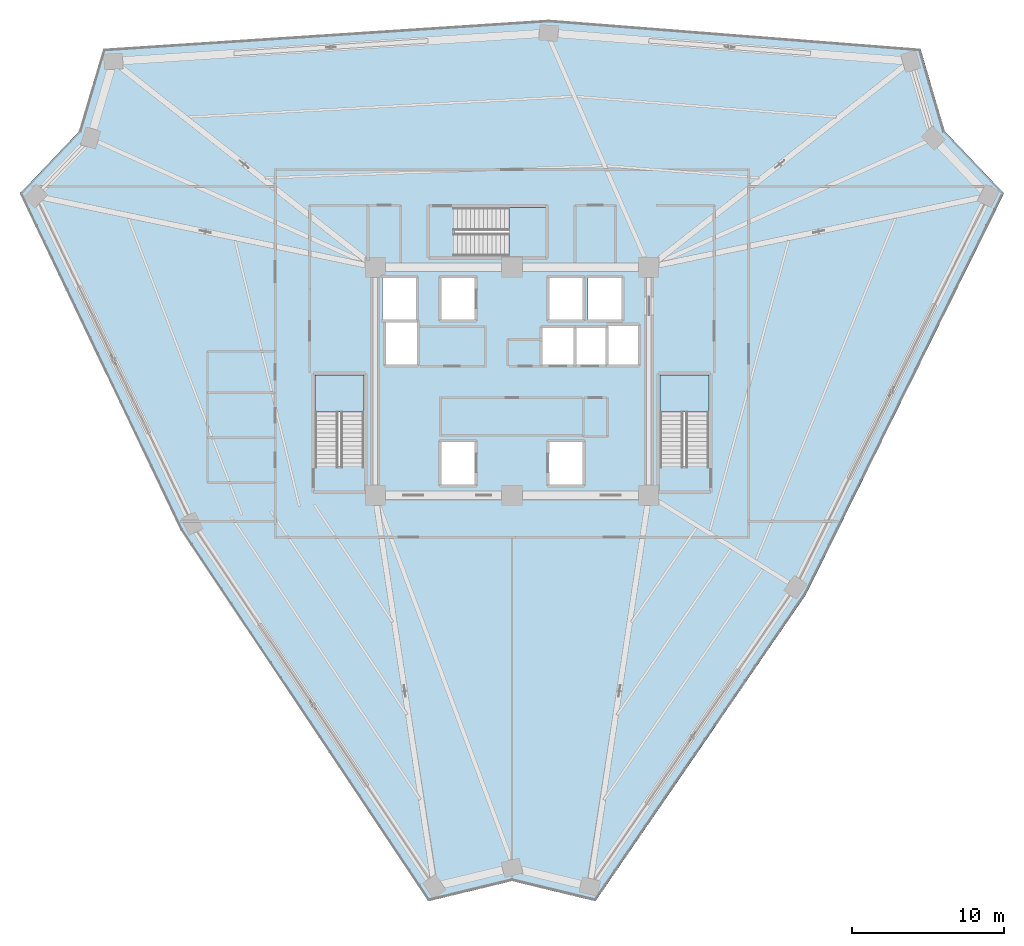
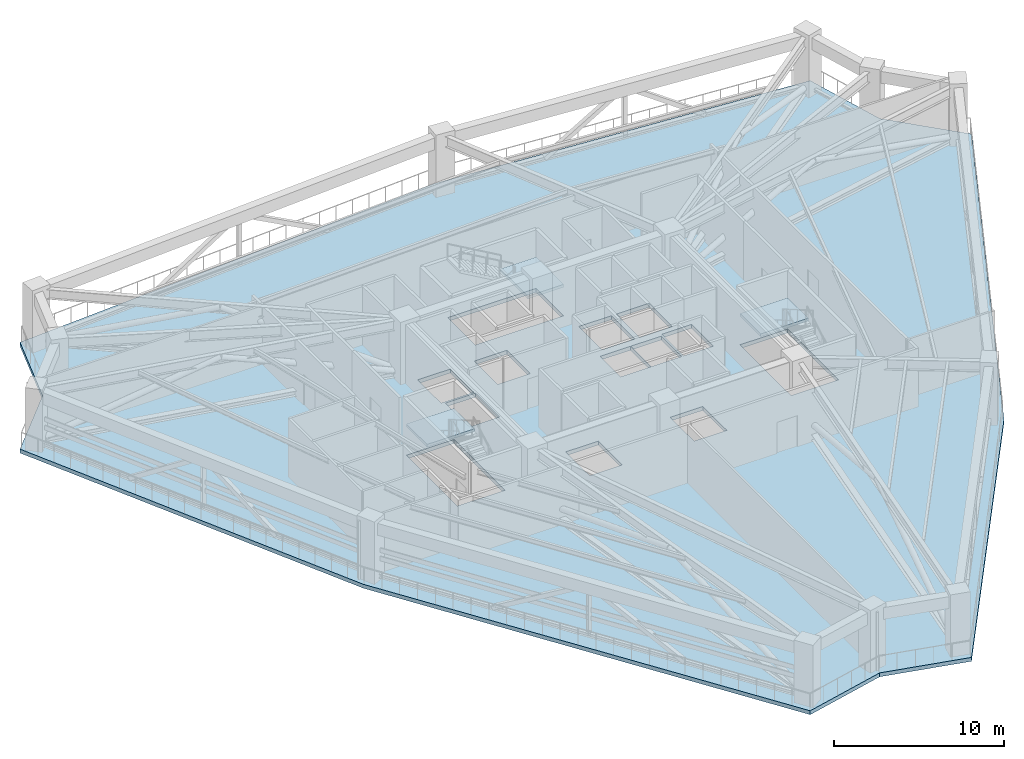
# One storey, part 11 of 22: 4 slabs, 3 elements without a shape of their own.
"""IFC4 building model written with IfcOpenShell, lengths in metres."""

from ifc_helpers import new_model, si_unit, direction, frame, origin, place, context, subcontext, project, spatial, polyline, outline, extrude, material, layer, layer_set, type_object, element, aggregate, save


model = new_model("IFC4")

# Units and contexts
model_context = context("Model", 3, precision=1e-05, world=origin(), true_north=direction((0.0, 1.0)))
body_context = subcontext(model_context, "Body", "Model", "MODEL_VIEW")
ifc_project = project(units=[si_unit("LENGTHUNIT", "METRE"), si_unit("AREAUNIT", "SQUARE_METRE"), si_unit("VOLUMEUNIT", "CUBIC_METRE"), si_unit("PLANEANGLEUNIT", "RADIAN"), si_unit("MASSUNIT", "GRAM", prefix="KILO")], contexts=[model_context])

# Site, building, storey
site_placement = place(None, origin())
site = spatial("IfcSite", under=ifc_project, at=site_placement, CompositionType="ELEMENT")
building_placement = place(site_placement, origin())
building = spatial("IfcBuilding", under=site, at=building_placement, Name="Liaohun Quay Tower", CompositionType="ELEMENT")
storey_placement = place(building_placement, frame((0.0, 0.0, 277.5)))
storey = spatial("IfcBuildingStorey", under=building, at=storey_placement, Name="L72", CompositionType="ELEMENT", Elevation=277.5)

# Stair, slab
ifc_material_1 = material(Name="Concrete C45", Category="concrete")
stair_type = type_object("IfcStairType", Name="STR-CORE-TALL", PredefinedType="HALF_TURN_STAIR", material=ifc_material_1)
stair_1_placement = place(storey_placement, origin())
stair_1 = element("IfcStair", 1, at=stair_1_placement, inside=storey, type_object=stair_type, Name="L72 Smokeproof Core Exit Stair ST-1", PredefinedType="HALF_TURN_STAIR")
ifc_layer_1 = layer(ifc_material_1, 0.199951171875, Name="Concrete C45", Category="concrete")
ifc_layer_set_1 = layer_set([ifc_layer_1], Name="Concrete C45")
slab_type_1 = type_object("IfcSlabType", Name="SLB-LND-200", PredefinedType="LANDING", material=ifc_layer_set_1)
slab_1_placement = place(storey_placement, frame((0.0, 0.0, 2.050048828125)))
slab_1 = element("IfcSlab", 2, at=slab_1_placement, type_object=slab_type_1, Name="ST-1 landing 1", PredefinedType="LANDING", context=body_context, shape_type="SweptSolid", body=[
    extrude(outline(polyline([(50.280029296875, 51.989990234375), (50.280029296875, 54.419921875), (47.0400390625, 54.419921875), (47.0400390625, 51.989990234375), (50.280029296875, 51.989990234375)])), origin(), (0.0, 0.0, 1.0), 0.199951171875),
])
aggregate(stair_1, [slab_1])

stair_2_placement = place(storey_placement, origin())
stair_2 = element("IfcStair", 3, at=stair_2_placement, inside=storey, type_object=stair_type, Name="L72 Smokeproof Core Exit Stair ST-2", PredefinedType="HALF_TURN_STAIR")
slab_2_placement = place(storey_placement, frame((0.0, 0.0, 2.050048828125)))
slab_2 = element("IfcSlab", 4, at=slab_2_placement, type_object=slab_type_1, Name="ST-2 landing 1", PredefinedType="LANDING", context=body_context, shape_type="SweptSolid", body=[
    extrude(outline(polyline([(72.9599609375, 51.989990234375), (72.9599609375, 54.419921875), (69.719970703125, 54.419921875), (69.719970703125, 51.989990234375), (72.9599609375, 51.989990234375)])), origin(), (0.0, 0.0, 1.0), 0.199951171875),
])
aggregate(stair_2, [slab_2])

stair_3_placement = place(storey_placement, origin())
stair_3 = element("IfcStair", 5, at=stair_3_placement, inside=storey, type_object=stair_type, Name="L72 Smokeproof Core Exit Stair ST-3", PredefinedType="HALF_TURN_STAIR")
slab_3_placement = place(storey_placement, frame((0.0, 0.0, 2.050048828125)))
slab_3 = element("IfcSlab", 6, at=slab_3_placement, type_object=slab_type_1, Name="ST-3 landing 1", PredefinedType="LANDING", context=body_context, shape_type="SweptSolid", body=[
    extrude(outline(polyline([(59.7900390625, 62.199951171875), (62.219970703125, 62.199951171875), (62.219970703125, 65.43994140625), (59.7900390625, 65.43994140625), (59.7900390625, 62.199951171875)])), origin(), (0.0, 0.0, 1.0), 0.199951171875),
])
aggregate(stair_3, [slab_3])

# Slab
ifc_material_2 = material(Name="Concrete C50", Category="concrete")
ifc_layer_2 = layer(ifc_material_2, 0.280029296875, Name="Concrete C50", Category="concrete")
ifc_layer_set_2 = layer_set([ifc_layer_2], Name="Concrete C50")
slab_type_2 = type_object("IfcSlabType", Name="SLB-REF-280", PredefinedType="FLOOR", material=ifc_layer_set_2)
slab_4_placement = place(storey_placement, frame((0.0, 0.0, -0.280029296875)))
element("IfcSlab", 7, at=slab_4_placement, inside=storey, type_object=slab_type_2, Name="L72 Structural Floor Slab", PredefinedType="FLOOR", context=body_context, shape_type="SweptSolid", body=[
    extrude(outline(polyline([(54.514892578125, 19.818115234375), (60.0, 21.14306640625), (65.485107421875, 19.818115234375), (79.360107421875, 40.031005859375), (92.344970703125, 66.341064453125), (88.455078125, 70.428955078125), (86.860107421875, 75.842041015625), (62.4169921875, 77.7509765625), (33.139892578125, 75.842041015625), (31.544921875, 70.428955078125), (27.655029296875, 66.341064453125), (38.222900390625, 44.218017578125), (54.514892578125, 19.818115234375)]), holes=[polyline([(57.56005859375, 50.030029296875), (55.340087890625, 50.030029296875), (55.340087890625, 47.2099609375), (57.56005859375, 47.2099609375), (57.56005859375, 50.030029296875)]), polyline([(50.280029296875, 54.419921875), (47.0400390625, 54.419921875), (47.0400390625, 48.409912109375), (50.280029296875, 48.409912109375), (50.280029296875, 54.419921875)]), polyline([(64.06005859375, 55.090087890625), (64.06005859375, 57.510009765625), (61.989990234375, 57.510009765625), (61.989990234375, 55.090087890625), (64.06005859375, 55.090087890625)]), polyline([(53.760009765625, 57.909912109375), (51.7099609375, 57.909912109375), (51.7099609375, 55.090087890625), (53.760009765625, 55.090087890625), (53.760009765625, 57.909912109375)]), polyline([(53.7099609375, 58.0400390625), (53.7099609375, 60.7900390625), (51.489990234375, 60.7900390625), (51.489990234375, 58.0400390625), (53.7099609375, 58.0400390625)]), polyline([(57.56005859375, 58.0400390625), (57.56005859375, 60.7900390625), (55.340087890625, 60.7900390625), (55.340087890625, 58.0400390625), (57.56005859375, 58.0400390625)]), polyline([(62.219970703125, 65.43994140625), (56.2099609375, 65.43994140625), (56.2099609375, 62.199951171875), (62.219970703125, 62.199951171875), (62.219970703125, 65.43994140625)]), polyline([(64.659912109375, 47.2099609375), (64.659912109375, 50.030029296875), (62.43994140625, 50.030029296875), (62.43994140625, 47.2099609375), (64.659912109375, 47.2099609375)]), polyline([(72.9599609375, 54.419921875), (69.719970703125, 54.419921875), (69.719970703125, 48.409912109375), (72.9599609375, 48.409912109375), (72.9599609375, 54.419921875)]), polyline([(66.159912109375, 55.090087890625), (66.159912109375, 57.510009765625), (64.090087890625, 57.510009765625), (64.090087890625, 55.090087890625), (66.159912109375, 55.090087890625)]), polyline([(68.2900390625, 55.090087890625), (68.2900390625, 57.659912109375), (66.2900390625, 57.659912109375), (66.2900390625, 55.090087890625), (68.2900390625, 55.090087890625)]), polyline([(64.659912109375, 58.0400390625), (64.659912109375, 60.7900390625), (62.43994140625, 60.7900390625), (62.43994140625, 58.0400390625), (64.659912109375, 58.0400390625)]), polyline([(67.2099609375, 58.0400390625), (67.2099609375, 60.7900390625), (64.989990234375, 60.7900390625), (64.989990234375, 58.0400390625), (67.2099609375, 58.0400390625)])]), origin(), (0.0, 0.0, 1.0), 0.280029296875),
])

save(model, "model.ifc")
